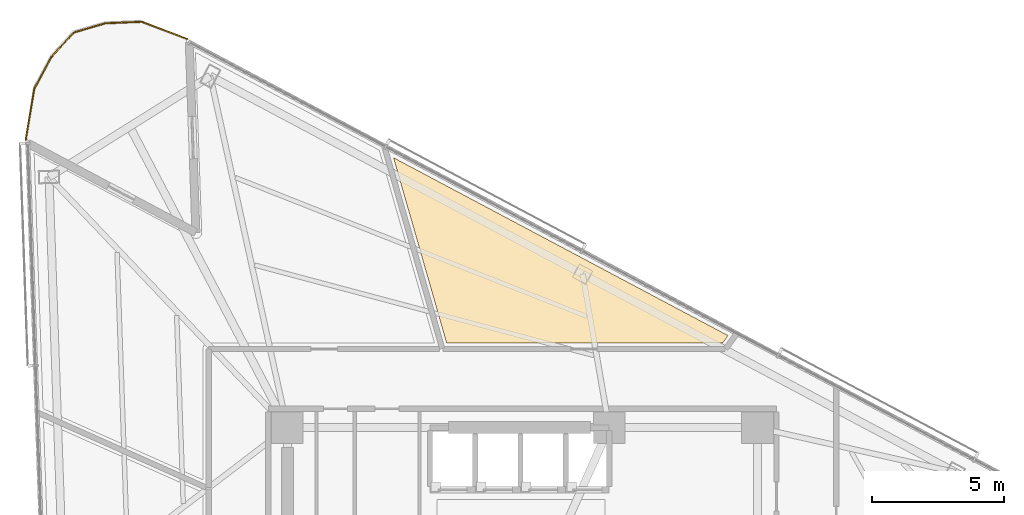
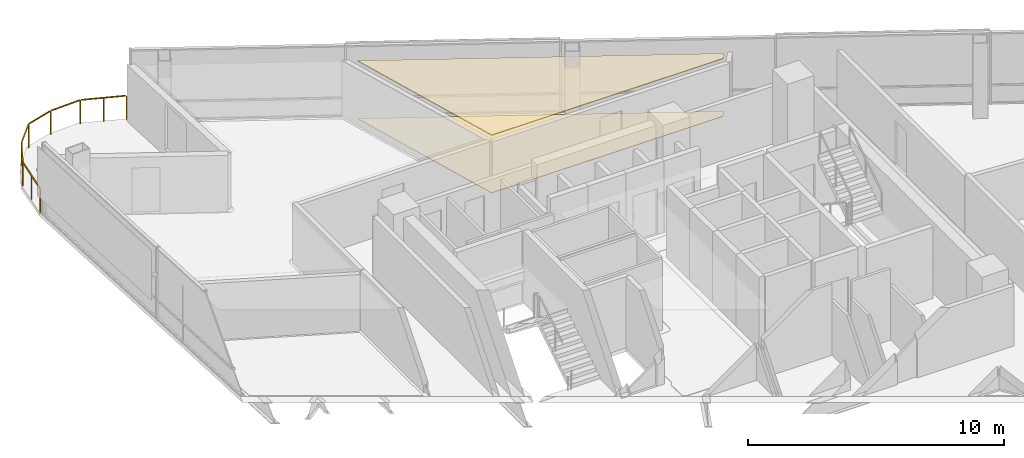
# One storey, part 21 of 21: 2 coverings, 1 railing.
"""IFC4 building model written with IfcOpenShell, lengths in metres."""

import ifcopenshell
import ifcopenshell.guid

model = None  # the IFC model being written
_history = None  # IfcOwnerHistory: only IFC2X3 demands one
_inside = {}  # id of a spatial element -> (the spatial element, [elements in it])
_under = {}  # id of a project, library or spatial element -> (it, [spatial elements below it])
_declared = {}  # id of a project -> (the project, [libraries it declares])
_typed = {}  # id of a type object -> (the type object, [elements of that type])
_made_of = {}  # id of a material, layer set ... -> (it, [elements and type objects made of it])


def new_model(schema):
    """Start an empty IFC model of exactly this schema.

    Asked for "IFC4X3", IfcOpenShell would pick the latest addendum, in which some entities
    have other attributes; the version numbers below select the first issue.
    IFC2X3 requires an IfcOwnerHistory on every rooted entity: one is made here for all.
    """
    global model, _history
    if schema == "IFC4X3":
        model = ifcopenshell.file(schema_version=(4, 3, 0, 0))
    else:
        model = ifcopenshell.file(schema=schema)
    _inside.clear()
    _under.clear()
    _declared.clear()
    _typed.clear()
    _made_of.clear()
    _history = None
    if model.schema == "IFC2X3":
        org = make("IfcOrganization", Name="unknown")
        user = make(
            "IfcPersonAndOrganization",
            ThePerson=make("IfcPerson", FamilyName="unknown"),
            TheOrganization=org,
        )
        app = make(
            "IfcApplication",
            ApplicationDeveloper=org,
            Version="unknown",
            ApplicationFullName="unknown",
            ApplicationIdentifier="unknown",
        )
        _history = make(
            "IfcOwnerHistory",
            OwningUser=user,
            OwningApplication=app,
            ChangeAction="ADDED",
            CreationDate=0,
        )
    return model


def make(cls, **values):
    """One entity of the class cls with the attributes given. An attribute that is None is left unset."""
    return model.create_entity(
        cls, **{name: value for name, value in values.items() if value is not None}
    )


def rooted(cls, **values):
    """An entity with a GlobalId (a new one), such as an element, a storey or a relation."""
    return make(cls, GlobalId=ifcopenshell.guid.new(), OwnerHistory=_history, **values)


def si_unit(unit_type, name, prefix=None):
    """IfcSIUnit, for example si_unit("LENGTHUNIT", "METRE", prefix="MILLI")."""
    return make("IfcSIUnit", UnitType=unit_type, Prefix=prefix, Name=name)


def assignment(units):
    """IfcUnitAssignment: the units of a project."""
    return None if units is None else make("IfcUnitAssignment", Units=units)


def point(xyz):
    """IfcCartesianPoint."""
    return None if xyz is None else make("IfcCartesianPoint", Coordinates=xyz)


def direction(xyz):
    """IfcDirection."""
    return None if xyz is None else make("IfcDirection", DirectionRatios=xyz)


def frame(location, z_axis=None, x_axis=None):
    """IfcAxis2Placement3D, a coordinate frame: its origin and axes. An axis left out is left unset."""
    return make(
        "IfcAxis2Placement3D",
        Location=point(location),
        Axis=direction(z_axis),
        RefDirection=direction(x_axis),
    )


def frame_2d(location, x_axis=None):
    """IfcAxis2Placement2D, a coordinate frame in the plane: its origin and x axis."""
    return make(
        "IfcAxis2Placement2D", Location=point(location), RefDirection=direction(x_axis)
    )


def origin():
    """The frame at (0, 0, 0) with its axes left unset."""
    return frame((0.0, 0.0, 0.0))


def origin_2d():
    """The frame at (0, 0) in the plane with its x axis left unset."""
    return frame_2d((0.0, 0.0))


def place(relative_to, where):
    """IfcLocalPlacement: puts the frame where relative to a parent placement (None: the world)."""
    return make(
        "IfcLocalPlacement", PlacementRelTo=relative_to, RelativePlacement=where
    )


def context(
    kind, dimensions, precision=None, world=None, true_north=None, identifier=None
):
    """IfcGeometricRepresentationContext, for example the 3D "Model" context."""
    return make(
        "IfcGeometricRepresentationContext",
        ContextIdentifier=identifier,
        ContextType=kind,
        CoordinateSpaceDimension=dimensions,
        Precision=precision,
        WorldCoordinateSystem=world,
        TrueNorth=true_north,
    )


def subcontext(parent, identifier, kind, view, scale=None):
    """IfcGeometricRepresentationSubContext, for example "Body" below "Model"."""
    return make(
        "IfcGeometricRepresentationSubContext",
        ContextIdentifier=identifier,
        ContextType=kind,
        ParentContext=parent,
        TargetScale=scale,
        TargetView=view,
    )


def project(units=None, contexts=None):
    """IfcProject with its units and contexts."""
    return rooted(
        "IfcProject",
        Name="project",
        RepresentationContexts=contexts,
        UnitsInContext=assignment(units),
    )


def spatial(cls, under=None, at=None, **own):
    """A site, building, storey or space (cls), placed at a placement, below another one or the project."""
    s = rooted(cls, ObjectPlacement=at, **own)
    if under is not None:
        _under.setdefault(under.id(), (under, []))[1].append(s)
    return s


def polyline(points):
    """IfcPolyline through the points."""
    return make("IfcPolyline", Points=[point(p) for p in points])


def profile(cls, at=None, kind="AREA", **sizes):
    """A parametric profile (cls). Its sizes go by their IFC names, for example OverallWidth=200.0."""
    return make(cls, ProfileType=kind, Position=at, **sizes)


def rectangle(**sizes):
    """IfcRectangleProfileDef."""
    return profile("IfcRectangleProfileDef", **sizes)


def outline(outer, holes=None, kind="AREA"):
    """IfcArbitraryClosedProfileDef: a profile drawn as a closed curve; with holes, ...WithVoids."""
    if holes is None:
        return make("IfcArbitraryClosedProfileDef", ProfileType=kind, OuterCurve=outer)
    return make(
        "IfcArbitraryProfileDefWithVoids",
        ProfileType=kind,
        OuterCurve=outer,
        InnerCurves=holes,
    )


def extrude(swept, where, along, depth):
    """IfcExtrudedAreaSolid: the profile swept, set in the frame where, extruded along a direction by depth."""
    return make(
        "IfcExtrudedAreaSolid",
        SweptArea=swept,
        Position=where,
        ExtrudedDirection=direction(along),
        Depth=depth,
    )


def shape(context_of_items, identifier, shape_type, items):
    """IfcShapeRepresentation: the items that make up one representation, for example the "Body"."""
    return make(
        "IfcShapeRepresentation",
        ContextOfItems=context_of_items,
        RepresentationIdentifier=identifier,
        RepresentationType=shape_type,
        Items=items,
    )


def material(Name=None, Category=None):
    """IfcMaterial."""
    return make("IfcMaterial", Name=Name, Category=Category)


def layer(
    of_material, thickness, ventilated=None, Name=None, Category=None, Priority=None
):
    """IfcMaterialLayer: one layer of a wall or slab, of a material (None: an air gap)."""
    return make(
        "IfcMaterialLayer",
        Material=of_material,
        LayerThickness=thickness,
        IsVentilated=ventilated,
        Name=Name,
        Category=Category,
        Priority=Priority,
    )


def layer_set(layers, Name=None):
    """IfcMaterialLayerSet."""
    return make("IfcMaterialLayerSet", MaterialLayers=layers, LayerSetName=Name)


def made_of(thing, what):
    """Note that an element or type object is made of a material, layer set ...; save() writes the relation."""
    if what is not None:
        _made_of.setdefault(what.id(), (what, []))[1].append(thing)
    return thing


def type_object(cls, material=None, **own):
    """A type object (cls), such as IfcWallType, which elements share."""
    return made_of(rooted(cls, **own), material)


def element(
    cls,
    number,
    at=None,
    inside=None,
    cuts=None,
    type_object=None,
    material=None,
    context=None,
    identifier="Body",
    shape_type=None,
    held_by="IfcProductDefinitionShape",
    body=None,
    shapes=None,
    **own,
):
    """One element of the class cls, such as IfcWall. Its Tag is "e" and its number.

    at: its placement. inside: the storey or other place that contains it. cuts: it is an
    opening in that element (IfcRelVoidsElement). A single representation is given by context,
    identifier, shape_type and body (its items); several are given by shapes. held_by: the class
    of the entity that holds the representations. save() writes the other relations.
    """
    e = rooted(cls, Tag="e%d" % number, ObjectPlacement=at, **own)
    if body is not None:
        shapes = [shape(context, identifier, shape_type, body)]
    if shapes is not None:
        e.Representation = make(held_by, Representations=shapes)
    if inside is not None:
        _inside.setdefault(inside.id(), (inside, []))[1].append(e)
    if cuts is not None:
        rooted(
            "IfcRelVoidsElement", RelatingBuildingElement=cuts, RelatedOpeningElement=e
        )
    if type_object is not None:
        _typed.setdefault(type_object.id(), (type_object, []))[1].append(e)
    return made_of(e, material)


def aggregate(whole, parts):
    """IfcRelAggregates: a whole, such as a stair, and the parts it consists of."""
    return rooted("IfcRelAggregates", RelatingObject=whole, RelatedObjects=parts)


def save(model, path):
    """Write the relations noted so far, then the file.

    IfcRelAggregates (storeys below a building ...), IfcRelContainedInSpatialStructure (elements
    in a storey), IfcRelDefinesByType, IfcRelAssociatesMaterial and IfcRelDeclares: one each for
    every whole, place, type object, material and project.
    """
    for whole, parts in _under.values():
        aggregate(whole, parts)
    for where, things in _inside.values():
        rooted(
            "IfcRelContainedInSpatialStructure",
            RelatedElements=things,
            RelatingStructure=where,
        )
    for kind, things in _typed.values():
        rooted("IfcRelDefinesByType", RelatedObjects=things, RelatingType=kind)
    for what, things in _made_of.values():
        rooted("IfcRelAssociatesMaterial", RelatedObjects=things, RelatingMaterial=what)
    for by, libraries in _declared.values():
        rooted("IfcRelDeclares", RelatingContext=by, RelatedDefinitions=libraries)
    model.write(path)


model = new_model("IFC4")

# Units and contexts
model_context = context("Model", 3, precision=1e-05, world=origin(), true_north=direction((0.0, 1.0)))
body_context = subcontext(model_context, "Body", "Model", "MODEL_VIEW")
ifc_project = project(units=[si_unit("LENGTHUNIT", "METRE"), si_unit("AREAUNIT", "SQUARE_METRE"), si_unit("VOLUMEUNIT", "CUBIC_METRE"), si_unit("PLANEANGLEUNIT", "RADIAN"), si_unit("MASSUNIT", "GRAM", prefix="KILO")], contexts=[model_context])

# Site, building, storey
site_placement = place(None, origin())
site = spatial("IfcSite", under=ifc_project, at=site_placement, CompositionType="ELEMENT")
building_placement = place(site_placement, origin())
building = spatial("IfcBuilding", under=site, at=building_placement, Name="Tharavind Bronze Gate", CompositionType="ELEMENT")
storey_placement = place(building_placement, frame((0.0, 0.0, 156.800048828125)))
storey = spatial("IfcBuildingStorey", under=building, at=storey_placement, Name="L40", CompositionType="ELEMENT", Elevation=156.800048828125)

# Coverings
ifc_material_1 = material(Name="Engineered Oak & Carpet Tile", Category="wood")
ifc_layer_1 = layer(ifc_material_1, 0.02490234375)
ifc_layer_set_1 = layer_set([ifc_layer_1], Name="Engineered Oak & Carpet Tile")
covering_type_1 = type_object("IfcCoveringType", Name="ENGINEERED TIMBER FLOORING", PredefinedType="FLOORING", material=ifc_layer_set_1)
covering_1_placement = place(storey_placement, origin())
element("IfcCovering", 1, at=covering_1_placement, inside=storey, type_object=covering_type_1, Name="L40-RM-01 floor finish", PredefinedType="FLOORING", context=body_context, shape_type="SweptSolid", body=[
    extrude(outline(polyline([(-2.867919921875, 10.800048828125), (7.57470703125, 10.800048828125), (7.782470703125, 11.085693359375), (-4.880615234375, 17.81884765625), (-2.867919921875, 10.800048828125)])), origin(), (0.0, 0.0, 1.0), 0.02490234375),
])
ifc_material_2 = material(Name="Acoustic Gypsum Board", Category="gypsum")
ifc_layer_2 = layer(ifc_material_2, 0.030029296875)
ifc_layer_set_2 = layer_set([ifc_layer_2], Name="Acoustic Gypsum Board")
covering_type_2 = type_object("IfcCoveringType", Name="GYPSUM SUSPENDED CEILING", PredefinedType="CEILING", material=ifc_layer_set_2)
covering_2_placement = place(storey_placement, frame((0.0, 0.0, 2.75)))
element("IfcCovering", 2, at=covering_2_placement, inside=storey, type_object=covering_type_2, Name="L40-RM-01 suspended ceiling", PredefinedType="CEILING", context=body_context, shape_type="SweptSolid", body=[
    extrude(outline(polyline([(-2.867919921875, 10.800048828125), (7.57470703125, 10.800048828125), (7.782470703125, 11.085693359375), (-4.880615234375, 17.81884765625), (-2.867919921875, 10.800048828125)])), origin(), (0.0, 0.0, 1.0), 0.034912109375),
])

# Railing
ifc_material_3 = material(Name="Bronze Cap & Laminated Glass", Category="glass")
railing_type = type_object("IfcRailingType", Name="TERRACE GLASS GUARD RAILING 1150", PredefinedType="GUARDRAIL", material=ifc_material_3)
railing_placement = place(storey_placement, frame((-18.8046875, 18.500244140625, 0.0)))
element("IfcRailing", 3, at=railing_placement, inside=storey, type_object=railing_type, Name="L40 tree balcony guard railing", PredefinedType="GUARDRAIL", context=body_context, shape_type="SweptSolid", body=[
    extrude(rectangle(XDim=0.048095703125, YDim=0.048095703125, at=origin_2d()), frame((0.00537109375, 0.031494140625, 1.1259765625), z_axis=(0.164195729353, 0.986427778635, 0.0), x_axis=(-0.986427778635, 0.164195729353, 0.0)), (0.0, 0.0, 1.0), 1.8837890625),
    extrude(rectangle(XDim=0.048095703125, YDim=0.048095703125, at=origin_2d()), frame((0.3349609375, 1.949462890625, 1.1259765625), z_axis=(0.475354278584, 0.879794470221, 0.0), x_axis=(-0.879794470221, 0.475354278584, 0.0)), (0.0, 0.0, 1.0), 1.316650390625),
    extrude(rectangle(XDim=0.048095703125, YDim=0.048095703125, at=origin_2d()), frame((0.99755859375, 3.15966796875, 1.1259765625), z_axis=(0.672721531805, 0.739895763365, 0.0), x_axis=(-0.739895763365, 0.672721531805, 0.0)), (0.0, 0.0, 1.0), 1.1826171875),
    extrude(rectangle(XDim=0.048095703125, YDim=0.048095703125, at=origin_2d()), frame((1.845458984375, 4.0673828125, 1.1259765625), z_axis=(0.959866084935, 0.280458729571, 0.0), x_axis=(-0.280458729571, 0.959866084935, 0.0)), (0.0, 0.0, 1.0), 1.1826171875),
    extrude(rectangle(XDim=0.048095703125, YDim=0.048095703125, at=origin_2d()), frame((3.043212890625, 4.4091796875, 1.1259765625), z_axis=(0.999143462148, 0.041380454892, 0.0), x_axis=(-0.041380454892, 0.999143462148, 0.0)), (0.0, 0.0, 1.0), 1.316650390625),
    extrude(rectangle(XDim=0.048095703125, YDim=0.048095703125, at=origin_2d()), frame((4.420654296875, 4.453857421875, 1.1259765625), z_axis=(0.935175477512, -0.354184734651, 0.0), x_axis=(0.354184734651, 0.935175477512, 0.0)), (0.0, 0.0, 1.0), 1.770263671875),
    extrude(rectangle(XDim=0.0400390625, YDim=0.0400390625, at=origin_2d()), origin(), (0.0, 0.0, 1.0), 1.097900390625),
    extrude(rectangle(XDim=0.0400390625, YDim=0.0400390625, at=origin_2d()), frame((0.159912109375, 0.960693359375, 0.0)), (0.0, 0.0, 1.0), 1.097900390625),
    extrude(rectangle(XDim=0.0400390625, YDim=0.0400390625, at=origin_2d()), frame((0.31982421875, 1.92138671875, 0.0)), (0.0, 0.0, 1.0), 1.097900390625),
    extrude(rectangle(XDim=0.0400390625, YDim=0.0400390625, at=origin_2d()), frame((0.97607421875, 3.135986328125, 0.0)), (0.0, 0.0, 1.0), 1.097900390625),
    extrude(rectangle(XDim=0.0400390625, YDim=0.0400390625, at=origin_2d()), frame((1.814697265625, 4.058349609375, 0.0)), (0.0, 0.0, 1.0), 1.097900390625),
    extrude(rectangle(XDim=0.0400390625, YDim=0.0400390625, at=origin_2d()), frame((3.01123046875, 4.407958984375, 0.0)), (0.0, 0.0, 1.0), 1.097900390625),
    extrude(rectangle(XDim=0.0400390625, YDim=0.0400390625, at=origin_2d()), frame((4.390625, 4.465087890625, 0.0)), (0.0, 0.0, 1.0), 1.097900390625),
    extrude(rectangle(XDim=0.0400390625, YDim=0.0400390625, at=origin_2d()), frame((5.248291015625, 4.14013671875, 0.0)), (0.0, 0.0, 1.0), 1.097900390625),
    extrude(rectangle(XDim=0.0400390625, YDim=0.0400390625, at=origin_2d()), frame((6.10595703125, 3.8154296875, 0.0)), (0.0, 0.0, 1.0), 1.097900390625),
])

save(model, "model.ifc")
